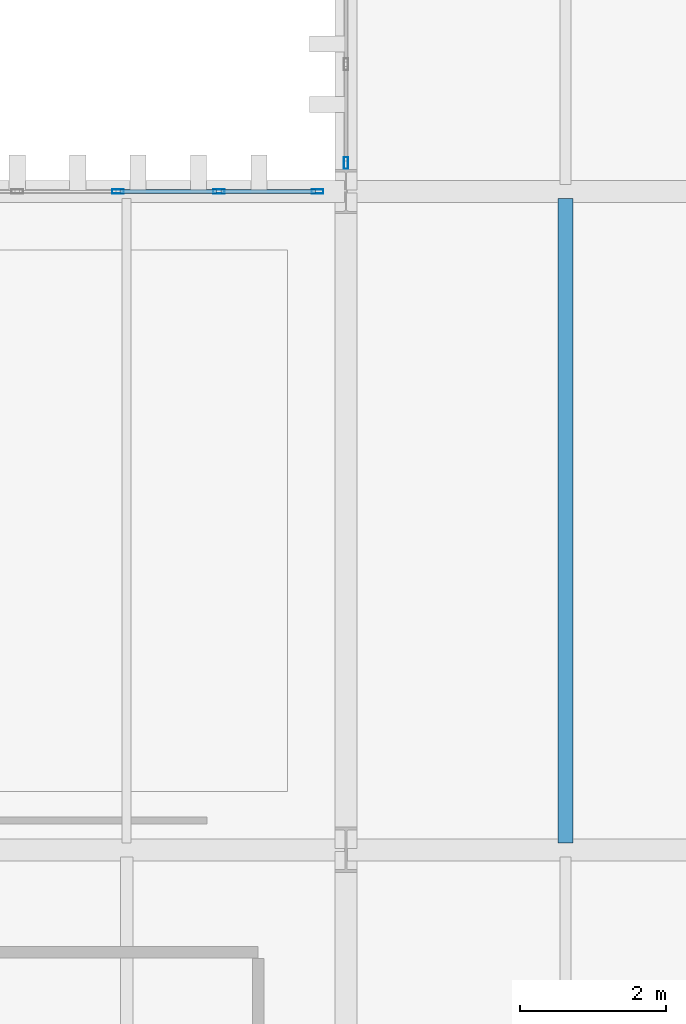
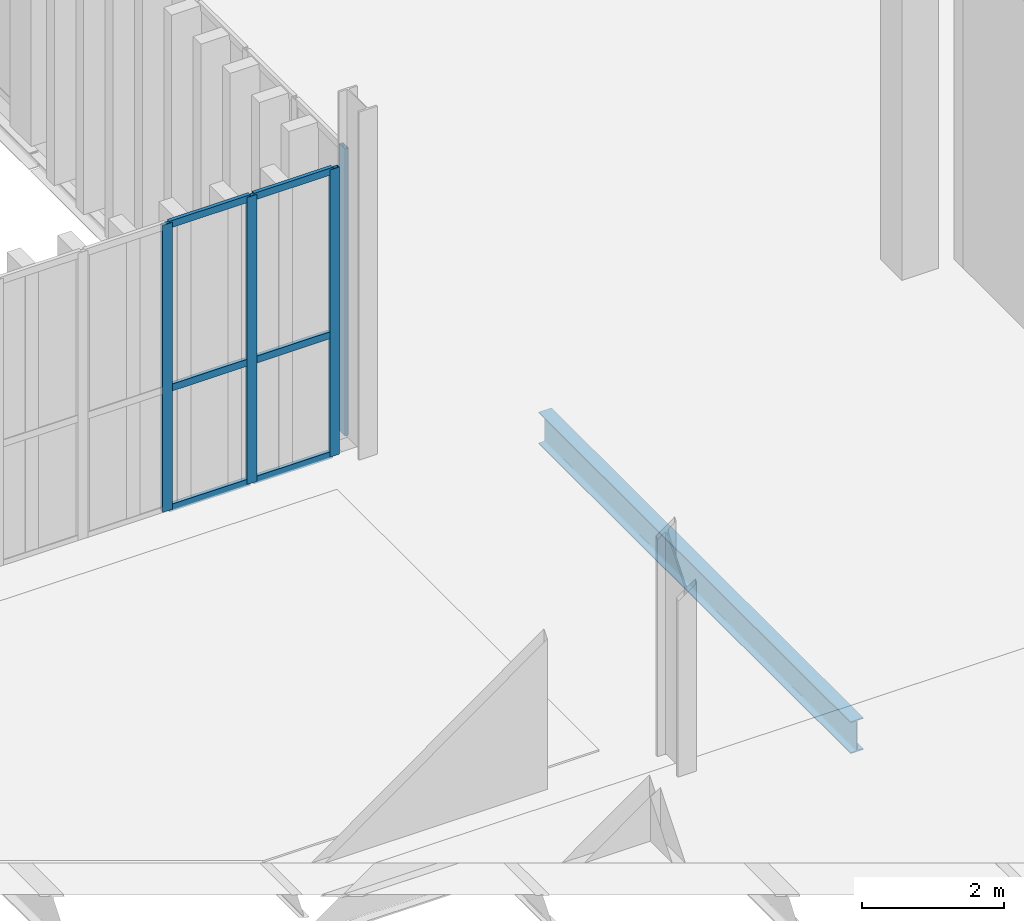
# One storey, part 99 of 211: 10 members, 1 beam, 2 elements without a shape of their own.
"""IFC4 building model written with IfcOpenShell, lengths in metres."""

from ifc_helpers import new_model, si_unit, direction, frame, origin, origin_2d, place, context, subcontext, project, spatial, hollow_rectangle, i_section, extrude, material, layer, layer_set, material_profile, profile_set, type_object, element, aggregate, save


model = new_model("IFC4")

# Units and contexts
model_context = context("Model", 3, precision=1e-05, world=origin(), true_north=direction((0.0, 1.0)))
body_context = subcontext(model_context, "Body", "Model", "MODEL_VIEW")
ifc_project = project(units=[si_unit("LENGTHUNIT", "METRE"), si_unit("AREAUNIT", "SQUARE_METRE"), si_unit("VOLUMEUNIT", "CUBIC_METRE"), si_unit("PLANEANGLEUNIT", "RADIAN"), si_unit("MASSUNIT", "GRAM", prefix="KILO")], contexts=[model_context])

# Site, building, storey
site_placement = place(None, origin())
site = spatial("IfcSite", under=ifc_project, at=site_placement, CompositionType="ELEMENT")
building_placement = place(site_placement, origin())
building = spatial("IfcBuilding", under=site, at=building_placement, Name="Barlavento Convention Centre", CompositionType="ELEMENT")
storey_placement = place(building_placement, frame((0.0, 0.0, 6.0)))
storey = spatial("IfcBuildingStorey", under=building, at=storey_placement, Name="L01", CompositionType="ELEMENT", Elevation=6.0)

# Curtain wall, members
ifc_material_1 = material(Name="Powder-coated aluminium and Low-E glass", Category="aluminium")
ifc_layer = layer(ifc_material_1, 0.195068359375)
ifc_layer_set = layer_set([ifc_layer], Name="ARC-CW-PATIO-A")
curtain_wall_type = type_object("IfcCurtainWallType", Name="ARC-CW-PATIO-A", PredefinedType="NOTDEFINED", material=ifc_layer_set)
curtain_wall_1_placement = place(storey_placement, origin())
curtain_wall_1 = element("IfcCurtainWall", 1, at=curtain_wall_1_placement, inside=storey, type_object=curtain_wall_type, Name="L01 unitised curtain wall CW11", PredefinedType="NOTDEFINED")
ifc_material_2 = material(Name="Powder-coated aluminium", Category="aluminium")
ifc_material_profile_1 = material_profile(ifc_material_2, hollow_rectangle(XDim=0.06005859375, YDim=0.159912109375, WallThickness=0.00390625, at=origin_2d()), Name="AL-MULL 60x160x4")
ifc_profile_set_1 = profile_set([ifc_material_profile_1], Name="Powder-coated aluminium")
member_type_1 = type_object("IfcMemberType", Name="ARC-CWM-60X160", PredefinedType="MULLION", material=ifc_profile_set_1)
member_1_placement = place(storey_placement, frame((167.88330078125, 63.0, 0.0), z_axis=(0.0, 0.0, 1.0), x_axis=(0.0, 1.0, 0.0)))
member_1 = element("IfcMember", 2, at=member_1_placement, type_object=member_type_1, Name="CW11 mullion 5", PredefinedType="MULLION", context=body_context, shape_type="SweptSolid", body=[
    extrude(hollow_rectangle(XDim=0.06005859375, YDim=0.159912109375, WallThickness=0.00390625, at=origin_2d()), origin(), (0.0, 0.0, 1.0), 4.949951171875),
])
member_2_placement = place(storey_placement, frame((169.26171875, 63.0, 0.0), z_axis=(0.0, 0.0, 1.0), x_axis=(0.0, 1.0, 0.0)))
member_2 = element("IfcMember", 3, at=member_2_placement, type_object=member_type_1, Name="CW11 mullion 6", PredefinedType="MULLION", context=body_context, shape_type="SweptSolid", body=[
    extrude(hollow_rectangle(XDim=0.06005859375, YDim=0.159912109375, WallThickness=0.00390625, at=origin_2d()), origin(), (0.0, 0.0, 1.0), 4.949951171875),
])
member_3_placement = place(storey_placement, frame((170.610107421875, 63.0, 0.0), z_axis=(0.0, 0.0, 1.0), x_axis=(0.0, 1.0, 0.0)))
member_3 = element("IfcMember", 4, at=member_3_placement, type_object=member_type_1, Name="CW11 mullion 7", PredefinedType="MULLION", context=body_context, shape_type="SweptSolid", body=[
    extrude(hollow_rectangle(XDim=0.06005859375, YDim=0.159912109375, WallThickness=0.00390625, at=origin_2d()), origin(), (0.0, 0.0, 1.0), 4.949951171875),
])

# Curtain wall, member
curtain_wall_2_placement = place(storey_placement, origin())
curtain_wall_2 = element("IfcCurtainWall", 5, at=curtain_wall_2_placement, inside=storey, type_object=curtain_wall_type, Name="L01 unitised curtain wall CW11", PredefinedType="NOTDEFINED")
member_4_placement = place(storey_placement, frame((171.0, 63.389892578125, 0.0), z_axis=(0.0, 0.0, 1.0), x_axis=(-1.0, 0.0, 0.0)))
member_4 = element("IfcMember", 6, at=member_4_placement, type_object=member_type_1, Name="CW11 mullion 1", PredefinedType="MULLION", context=body_context, shape_type="SweptSolid", body=[
    extrude(hollow_rectangle(XDim=0.06005859375, YDim=0.159912109375, WallThickness=0.00390625, at=origin_2d()), origin(), (0.0, 0.0, 1.0), 4.949951171875),
])
aggregate(curtain_wall_2, [member_4])

# Member
ifc_material_profile_2 = material_profile(ifc_material_2, hollow_rectangle(XDim=0.06005859375, YDim=0.1201171875, WallThickness=0.00390625, at=origin_2d()), Name="AL-TRAN 60x120x4")
ifc_profile_set_2 = profile_set([ifc_material_profile_2], Name="Powder-coated aluminium")
member_type_2 = type_object("IfcMemberType", Name="ARC-CWT-60X120", PredefinedType="USERDEFINED", material=ifc_profile_set_2)
member_5_placement = place(storey_placement, frame((167.913330078125, 63.0, 0.030029296875), z_axis=(1.0, 0.0, 0.0), x_axis=(0.0, 1.0, 0.0)))
member_5 = element("IfcMember", 7, at=member_5_placement, type_object=member_type_2, Name="CW11 transom 5.1", ObjectType="TRANSOM", PredefinedType="USERDEFINED", context=body_context, shape_type="SweptSolid", body=[
    extrude(hollow_rectangle(XDim=0.06005859375, YDim=0.1201171875, WallThickness=0.00390625, at=origin_2d()), origin(), (0.0, 0.0, 1.0), 1.318359375),
])

member_6_placement = place(storey_placement, frame((167.913330078125, 63.0, 2.10009765625), z_axis=(1.0, 0.0, 0.0), x_axis=(0.0, 1.0, 0.0)))
member_6 = element("IfcMember", 8, at=member_6_placement, type_object=member_type_2, Name="CW11 transom 5.2", ObjectType="TRANSOM", PredefinedType="USERDEFINED", context=body_context, shape_type="SweptSolid", body=[
    extrude(hollow_rectangle(XDim=0.06005859375, YDim=0.1201171875, WallThickness=0.00390625, at=origin_2d()), origin(), (0.0, 0.0, 1.0), 1.318359375),
])

member_7_placement = place(storey_placement, frame((167.913330078125, 63.0, 4.919921875), z_axis=(1.0, 0.0, 0.0), x_axis=(0.0, 1.0, 0.0)))
member_7 = element("IfcMember", 9, at=member_7_placement, type_object=member_type_2, Name="CW11 transom 5.3", ObjectType="TRANSOM", PredefinedType="USERDEFINED", context=body_context, shape_type="SweptSolid", body=[
    extrude(hollow_rectangle(XDim=0.06005859375, YDim=0.1201171875, WallThickness=0.00390625, at=origin_2d()), origin(), (0.0, 0.0, 1.0), 1.318359375),
])

member_8_placement = place(storey_placement, frame((169.291748046875, 63.0, 0.030029296875), z_axis=(1.0, 0.0, 0.0), x_axis=(0.0, 1.0, 0.0)))
member_8 = element("IfcMember", 10, at=member_8_placement, type_object=member_type_2, Name="CW11 transom 6.1", ObjectType="TRANSOM", PredefinedType="USERDEFINED", context=body_context, shape_type="SweptSolid", body=[
    extrude(hollow_rectangle(XDim=0.06005859375, YDim=0.1201171875, WallThickness=0.00390625, at=origin_2d()), origin(), (0.0, 0.0, 1.0), 1.288330078125),
])

member_9_placement = place(storey_placement, frame((169.291748046875, 63.0, 2.10009765625), z_axis=(1.0, 0.0, 0.0), x_axis=(0.0, 1.0, 0.0)))
member_9 = element("IfcMember", 11, at=member_9_placement, type_object=member_type_2, Name="CW11 transom 6.2", ObjectType="TRANSOM", PredefinedType="USERDEFINED", context=body_context, shape_type="SweptSolid", body=[
    extrude(hollow_rectangle(XDim=0.06005859375, YDim=0.1201171875, WallThickness=0.00390625, at=origin_2d()), origin(), (0.0, 0.0, 1.0), 1.288330078125),
])

member_10_placement = place(storey_placement, frame((169.291748046875, 63.0, 4.919921875), z_axis=(1.0, 0.0, 0.0), x_axis=(0.0, 1.0, 0.0)))
member_10 = element("IfcMember", 12, at=member_10_placement, type_object=member_type_2, Name="CW11 transom 6.3", ObjectType="TRANSOM", PredefinedType="USERDEFINED", context=body_context, shape_type="SweptSolid", body=[
    extrude(hollow_rectangle(XDim=0.06005859375, YDim=0.1201171875, WallThickness=0.00390625, at=origin_2d()), origin(), (0.0, 0.0, 1.0), 1.288330078125),
])

aggregate(curtain_wall_1, [member_1, member_2, member_3, member_5, member_6, member_7, member_8, member_9, member_10])

# Beam
ifc_material_3 = material(Name="Steel S355", Category="steel")
ifc_material_profile_3 = material_profile(ifc_material_3, i_section(OverallWidth=0.2099609375, OverallDepth=0.550048828125, WebThickness=0.010986328125, FlangeThickness=0.01708984375, FilletRadius=0.02392578125, at=origin_2d()), Name="IPE 550")
ifc_profile_set_3 = profile_set([ifc_material_profile_3], Name="Steel S355")
beam_type = type_object("IfcBeamType", Name="STR-BM-JST-IPE550", PredefinedType="JOIST", material=ifc_profile_set_3)
beam_placement = place(storey_placement, frame((174.0, 54.094970703125, -0.635009765625), z_axis=(0.0, 1.0, 0.0), x_axis=(-1.0, 0.0, 0.0)))
element("IfcBeam", 13, at=beam_placement, inside=storey, type_object=beam_type, Name="L01 composite floor joist SJ01", PredefinedType="JOIST", context=body_context, shape_type="SweptSolid", body=[
    extrude(i_section(OverallWidth=0.2099609375, OverallDepth=0.550048828125, WebThickness=0.010986328125, FlangeThickness=0.01708984375, FilletRadius=0.02392578125, at=origin_2d()), origin(), (0.0, 0.0, 1.0), 8.81005859375),
])

save(model, "model.ifc")
